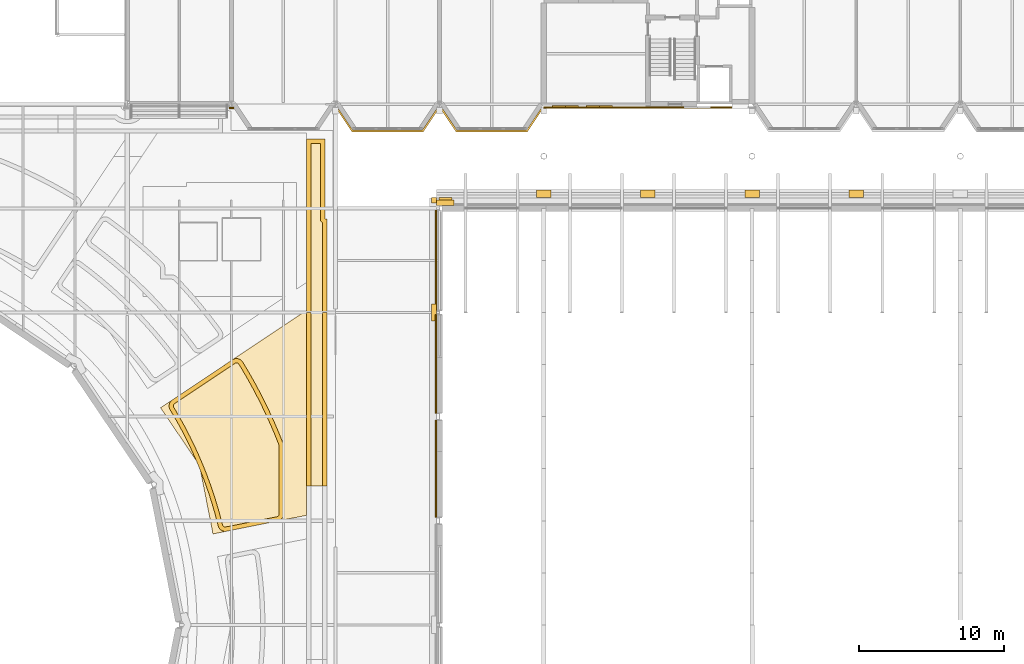
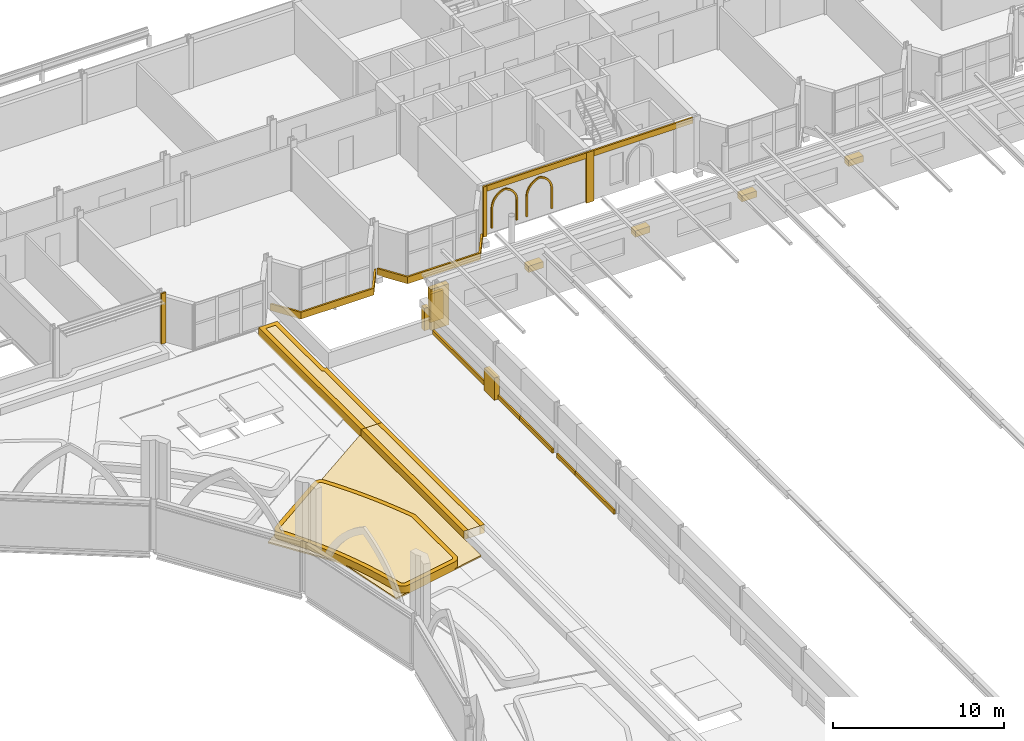
# One storey, part 100 of 110: 30 coverings.
"""IFC4 building model written with IfcOpenShell, lengths in metres."""

from ifc_helpers import new_model, si_unit, direction, frame, origin, origin_2d, place, context, subcontext, project, spatial, polyline, rectangle, outline, extrude, material, layer, layer_set, type_object, element, save


model = new_model("IFC4")

# Units and contexts
model_context = context("Model", 3, precision=1e-05, world=origin(), true_north=direction((0.0, 1.0)))
body_context = subcontext(model_context, "Body", "Model", "MODEL_VIEW")
ifc_project = project(units=[si_unit("LENGTHUNIT", "METRE"), si_unit("AREAUNIT", "SQUARE_METRE"), si_unit("VOLUMEUNIT", "CUBIC_METRE"), si_unit("PLANEANGLEUNIT", "RADIAN"), si_unit("MASSUNIT", "GRAM", prefix="KILO")], contexts=[model_context])

# Site, building, storey
site_placement = place(None, origin())
site = spatial("IfcSite", under=ifc_project, at=site_placement, CompositionType="ELEMENT")
building_placement = place(site_placement, origin())
building = spatial("IfcBuilding", under=site, at=building_placement, Name="Kupolbacken Congress Centre", CompositionType="ELEMENT")
storey_placement = place(building_placement, frame((0.0, 0.0, 18.0)))
storey = spatial("IfcBuildingStorey", under=building, at=storey_placement, Name="L05", CompositionType="ELEMENT", Elevation=18.0)

# Coverings
ifc_material_1 = material(Name="Limestone cladding", Category="masonry")
ifc_layer_1 = layer(ifc_material_1, 0.1201171875)
ifc_layer_set_1 = layer_set([ifc_layer_1], Name="Limestone cladding")
covering_type_1 = type_object("IfcCoveringType", Name="CV1 limestone cladding band 120", PredefinedType="CLADDING", material=ifc_layer_set_1)
covering_1_placement = place(storey_placement, frame((0.0, 0.0, -0.199951171875)))
element("IfcCovering", 1, at=covering_1_placement, inside=storey, type_object=covering_type_1, Name="E/T/belt/L05/S/79.2", PredefinedType="CLADDING", context=body_context, shape_type="SweptSolid", body=[
    extrude(outline(polyline([(86.377685546875, 122.14990234375), (86.2333984375, 122.14990234375), (85.199951171875, 120.60009765625), (80.39990234375, 120.60009765625), (79.36669921875, 122.14990234375), (79.222412109375, 122.14990234375), (80.335693359375, 120.47998046875), (85.26416015625, 120.47998046875), (86.377685546875, 122.14990234375)])), origin(), (0.0, 0.0, 1.0), 0.47998046875),
])
covering_2_placement = place(storey_placement, frame((0.0, 0.0, -0.199951171875)))
element("IfcCovering", 2, at=covering_2_placement, inside=storey, type_object=covering_type_1, Name="E/T/belt/L05/S/86.4", PredefinedType="CLADDING", context=body_context, shape_type="SweptSolid", body=[
    extrude(outline(polyline([(93.57763671875, 122.14990234375), (93.433349609375, 122.14990234375), (92.39990234375, 120.60009765625), (87.60009765625, 120.60009765625), (86.566650390625, 122.14990234375), (86.42236328125, 122.14990234375), (87.535888671875, 120.47998046875), (92.464111328125, 120.47998046875), (93.57763671875, 122.14990234375)])), origin(), (0.0, 0.0, 1.0), 0.47998046875),
])
ifc_material_2 = material(Name="Brick cladding", Category="masonry")
ifc_layer_2 = layer(ifc_material_2, 0.10791015625)
ifc_layer_set_2 = layer_set([ifc_layer_2], Name="Brick cladding")
covering_type_2 = type_object("IfcCoveringType", Name="CV2 brick cladding band 108", PredefinedType="CLADDING", material=ifc_layer_set_2)
covering_3_placement = place(storey_placement, frame((86.135986328125, 111.60009765625, 0.0), z_axis=(0.0, 0.0, 1.0), x_axis=(0.0, -1.0, 0.0)))
element("IfcCovering", 3, at=covering_3_placement, inside=storey, type_object=covering_type_2, Name="E/H/W/L05/469/band", PredefinedType="CLADDING", context=body_context, shape_type="SweptSolid", body=[
    extrude(rectangle(XDim=6.909912109375, YDim=0.10791015625, at=origin_2d()), origin(), (0.0, 0.0, 1.0), 0.300048828125),
])
covering_4_placement = place(storey_placement, frame((86.135986328125, 106.37744140625, 0.0), z_axis=(0.0, 0.0, 1.0), x_axis=(0.0, -1.0, 0.0)))
element("IfcCovering", 4, at=covering_4_placement, inside=storey, type_object=covering_type_2, Name="E/H/W/L05/470/band", PredefinedType="CLADDING", context=body_context, shape_type="SweptSolid", body=[
    extrude(rectangle(XDim=2.955078125, YDim=0.10791015625, at=origin_2d()), origin(), (0.0, 0.0, 1.0), 0.300048828125),
])
covering_5_placement = place(storey_placement, frame((86.135986328125, 102.972412109375, 0.0), z_axis=(0.0, 0.0, 1.0), x_axis=(0.0, -1.0, 0.0)))
element("IfcCovering", 5, at=covering_5_placement, inside=storey, type_object=covering_type_2, Name="E/H/W/L05/471/band", PredefinedType="CLADDING", context=body_context, shape_type="SweptSolid", body=[
    extrude(rectangle(XDim=3.85498046875, YDim=0.10791015625, at=origin_2d()), origin(), (0.0, 0.0, 1.0), 0.300048828125),
])
covering_6_placement = place(storey_placement, frame((86.135986328125, 99.4775390625, 0.0), z_axis=(0.0, 0.0, 1.0), x_axis=(0.0, -1.0, 0.0)))
element("IfcCovering", 6, at=covering_6_placement, inside=storey, type_object=covering_type_2, Name="E/H/W/L05/472/band", PredefinedType="CLADDING", context=body_context, shape_type="SweptSolid", body=[
    extrude(rectangle(XDim=2.155029296875, YDim=0.10791015625, at=origin_2d()), origin(), (0.0, 0.0, 1.0), 0.300048828125),
])
covering_7_placement = place(storey_placement, frame((86.135986328125, 96.12255859375, 0.0), z_axis=(0.0, 0.0, 1.0), x_axis=(0.0, -1.0, 0.0)))
element("IfcCovering", 7, at=covering_7_placement, inside=storey, type_object=covering_type_2, Name="E/H/W/L05/473/band", PredefinedType="CLADDING", context=body_context, shape_type="SweptSolid", body=[
    extrude(rectangle(XDim=4.554931640625, YDim=0.10791015625, at=origin_2d()), origin(), (0.0, 0.0, 1.0), 0.300048828125),
])
covering_8_placement = place(storey_placement, frame((72.0, 122.134033203125, 0.0), z_axis=(0.0, 0.0, 1.0), x_axis=(1.0, 0.0, 0.0)))
element("IfcCovering", 8, at=covering_8_placement, inside=storey, type_object=covering_type_2, Name="E/T/pilaster/L05/C-T-11T/S", PredefinedType="CLADDING", context=body_context, shape_type="SweptSolid", body=[
    extrude(rectangle(XDim=0.306884765625, YDim=0.10009765625, at=origin_2d()), origin(), (0.0, 0.0, 1.0), 3.60009765625),
])
covering_9_placement = place(storey_placement, frame((93.72509765625, 122.1650390625, 0.0), z_axis=(0.0, 0.0, 1.0), x_axis=(1.0, 0.0, 0.0)))
element("IfcCovering", 9, at=covering_9_placement, inside=storey, type_object=covering_type_2, Name="E/T/stripe/S/L05/pil93.6", PredefinedType="CLADDING", context=body_context, shape_type="SweptSolid", body=[
    extrude(rectangle(XDim=0.25, YDim=0.1201171875, at=origin_2d()), origin(), (0.0, 0.0, 1.0), 3.60009765625),
])
covering_10_placement = place(storey_placement, frame((100.800048828125, 122.1650390625, 0.0), z_axis=(0.0, 0.0, 1.0), x_axis=(1.0, 0.0, 0.0)))
element("IfcCovering", 10, at=covering_10_placement, inside=storey, type_object=covering_type_2, Name="E/T/stripe/S/L05/pil100.8", PredefinedType="CLADDING", context=body_context, shape_type="SweptSolid", body=[
    extrude(rectangle(XDim=0.5, YDim=0.1201171875, at=origin_2d()), origin(), (0.0, 0.0, 1.0), 3.60009765625),
])
covering_11_placement = place(storey_placement, frame((97.199951171875, 122.1650390625, 3.199951171875), z_axis=(0.0, 0.0, 1.0), x_axis=(1.0, 0.0, 0.0)))
element("IfcCovering", 11, at=covering_11_placement, inside=storey, type_object=covering_type_2, Name="E/T/stripe/S/L05/belt93.6", PredefinedType="CLADDING", context=body_context, shape_type="SweptSolid", body=[
    extrude(rectangle(XDim=6.699951171875, YDim=0.1201171875, at=origin_2d()), origin(), (0.0, 0.0, 1.0), 0.39990234375),
])
covering_12_placement = place(storey_placement, frame((94.199951171875, 122.300048828125, 0.35009765625), z_axis=(0.0, -1.0, 0.0), x_axis=(1.0, 0.0, 0.0)))
element("IfcCovering", 12, at=covering_12_placement, inside=storey, type_object=covering_type_2, Name="E/T/stripe/S/L05/niche93.6/1", PredefinedType="CLADDING", context=body_context, shape_type="SweptSolid", body=[
    extrude(outline(polyline([(0.0, 0.0), (0.0, 1.43408203125), (0.00537109375, 1.54443359375), (0.021484375, 1.654052734375), (0.048095703125, 1.761474609375), (0.084716796875, 1.86572265625), (0.131591796875, 1.966064453125), (0.187744140625, 2.061279296875), (0.2529296875, 2.15087890625), (0.32666015625, 2.2333984375), (0.40771484375, 2.30859375), (0.495849609375, 2.37548828125), (0.590087890625, 2.433837890625), (0.689453125, 2.482421875), (0.793212890625, 2.521240234375), (0.89990234375, 2.550048828125), (1.0068359375, 2.521240234375), (1.110595703125, 2.482421875), (1.2099609375, 2.433837890625), (1.30419921875, 2.37548828125), (1.39208984375, 2.30859375), (1.473388671875, 2.2333984375), (1.547119140625, 2.15087890625), (1.6123046875, 2.061279296875), (1.66845703125, 1.966064453125), (1.715087890625, 1.86572265625), (1.751953125, 1.761474609375), (1.778564453125, 1.654052734375), (1.794677734375, 1.54443359375), (1.800048828125, 1.43408203125), (1.800048828125, 0.0), (1.679931640625, 0.0), (1.679931640625, 1.43408203125), (1.67529296875, 1.531005859375), (1.66162109375, 1.627197265625), (1.638671875, 1.7216796875), (1.60693359375, 1.8134765625), (1.566650390625, 1.90185546875), (1.51806640625, 1.986083984375), (1.461669921875, 2.065185546875), (1.398193359375, 2.138916015625), (1.327880859375, 2.205810546875), (1.25146484375, 2.26611328125), (1.169677734375, 2.318603515625), (1.08349609375, 2.36328125), (0.9931640625, 2.3994140625), (0.89990234375, 2.427001953125), (0.806884765625, 2.3994140625), (0.716552734375, 2.36328125), (0.63037109375, 2.318603515625), (0.548583984375, 2.26611328125), (0.47216796875, 2.205810546875), (0.40185546875, 2.138916015625), (0.33837890625, 2.065185546875), (0.281982421875, 1.986083984375), (0.2333984375, 1.90185546875), (0.193115234375, 1.8134765625), (0.161376953125, 1.7216796875), (0.138427734375, 1.627197265625), (0.12451171875, 1.531005859375), (0.1201171875, 1.43408203125), (0.1201171875, 0.0), (0.0, 0.0)])), origin(), (0.0, 0.0, 1.0), 0.080078125),
])
covering_13_placement = place(storey_placement, frame((96.550048828125, 122.300048828125, 0.35009765625), z_axis=(0.0, -1.0, 0.0), x_axis=(1.0, 0.0, 0.0)))
element("IfcCovering", 13, at=covering_13_placement, inside=storey, type_object=covering_type_2, Name="E/T/stripe/S/L05/niche93.6/2", PredefinedType="CLADDING", context=body_context, shape_type="SweptSolid", body=[
    extrude(outline(polyline([(0.0, 0.0), (0.0, 1.43408203125), (0.00537109375, 1.54443359375), (0.021484375, 1.654052734375), (0.048095703125, 1.761474609375), (0.084716796875, 1.86572265625), (0.131591796875, 1.966064453125), (0.187744140625, 2.061279296875), (0.2529296875, 2.15087890625), (0.32666015625, 2.2333984375), (0.40771484375, 2.30859375), (0.495849609375, 2.37548828125), (0.590087890625, 2.433837890625), (0.689453125, 2.482421875), (0.793212890625, 2.521240234375), (0.89990234375, 2.550048828125), (1.0068359375, 2.521240234375), (1.110595703125, 2.482421875), (1.2099609375, 2.433837890625), (1.30419921875, 2.37548828125), (1.39208984375, 2.30859375), (1.473388671875, 2.2333984375), (1.547119140625, 2.15087890625), (1.6123046875, 2.061279296875), (1.66845703125, 1.966064453125), (1.715087890625, 1.86572265625), (1.751953125, 1.761474609375), (1.778564453125, 1.654052734375), (1.794677734375, 1.54443359375), (1.800048828125, 1.43408203125), (1.800048828125, 0.0), (1.679931640625, 0.0), (1.679931640625, 1.43408203125), (1.67529296875, 1.531005859375), (1.66162109375, 1.627197265625), (1.638671875, 1.7216796875), (1.60693359375, 1.8134765625), (1.566650390625, 1.90185546875), (1.51806640625, 1.986083984375), (1.461669921875, 2.065185546875), (1.398193359375, 2.138916015625), (1.327880859375, 2.205810546875), (1.25146484375, 2.26611328125), (1.169677734375, 2.318603515625), (1.08349609375, 2.36328125), (0.9931640625, 2.3994140625), (0.89990234375, 2.427001953125), (0.806884765625, 2.3994140625), (0.716552734375, 2.36328125), (0.63037109375, 2.318603515625), (0.548583984375, 2.26611328125), (0.47216796875, 2.205810546875), (0.40185546875, 2.138916015625), (0.33837890625, 2.065185546875), (0.281982421875, 1.986083984375), (0.2333984375, 1.90185546875), (0.193115234375, 1.8134765625), (0.161376953125, 1.7216796875), (0.138427734375, 1.627197265625), (0.12451171875, 1.531005859375), (0.1201171875, 1.43408203125), (0.1201171875, 0.0), (0.0, 0.0)])), origin(), (0.0, 0.0, 1.0), 0.080078125),
])
covering_14_placement = place(storey_placement, frame((104.39990234375, 122.1650390625, 3.199951171875), z_axis=(0.0, 0.0, 1.0), x_axis=(1.0, 0.0, 0.0)))
element("IfcCovering", 14, at=covering_14_placement, inside=storey, type_object=covering_type_2, Name="E/T/stripe/S/L05/belt100.8", PredefinedType="CLADDING", context=body_context, shape_type="SweptSolid", body=[
    extrude(rectangle(XDim=6.699951171875, YDim=0.1201171875, at=origin_2d()), origin(), (0.0, 0.0, 1.0), 0.39990234375),
])
ifc_material_3 = material(Name="Limestone cladding", Category="masonry")
ifc_layer_3 = layer(ifc_material_3, 0.35009765625)
ifc_layer_set_3 = layer_set([ifc_layer_3], Name="Limestone cladding")
covering_type_3 = type_object("IfcCoveringType", Name="CV3 limestone pilaster strip 350", PredefinedType="CLADDING", material=ifc_layer_set_3)
covering_15_placement = place(storey_placement, frame((86.7900390625, 115.5849609375, 0.0), z_axis=(0.0, 0.0, 1.0), x_axis=(1.0, 0.0, 0.0)))
element("IfcCovering", 15, at=covering_15_placement, inside=storey, type_object=covering_type_3, Name="F/H/N/pil/00/0", PredefinedType="CLADDING", context=body_context, shape_type="SweptSolid", body=[
    extrude(rectangle(XDim=1.199951171875, YDim=0.35009765625, at=origin_2d()), origin(), (0.0, 0.0, 1.0), 2.93505859375),
])
covering_16_placement = place(storey_placement, frame((86.014892578125, 108.0, 0.0), z_axis=(0.0, 0.0, 1.0), x_axis=(0.0, 1.0, 0.0)))
element("IfcCovering", 16, at=covering_16_placement, inside=storey, type_object=covering_type_3, Name="F/H/W/pil/09/0", PredefinedType="CLADDING", context=body_context, shape_type="SweptSolid", body=[
    extrude(rectangle(XDim=1.199951171875, YDim=0.35009765625, at=origin_2d()), origin(), (0.0, 0.0, 1.0), 1.60009765625),
])
covering_17_placement = place(storey_placement, frame((86.014892578125, 115.760009765625, 0.0), z_axis=(0.0, 0.0, 1.0), x_axis=(1.0, 0.0, 0.0)))
element("IfcCovering", 17, at=covering_17_placement, inside=storey, type_object=covering_type_3, Name="F/H/corner/N/W/0", PredefinedType="CLADDING", context=body_context, shape_type="SweptSolid", body=[
    extrude(rectangle(XDim=0.35009765625, YDim=0.35009765625, at=origin_2d()), origin(), (0.0, 0.0, 1.0), 1.60009765625),
])
ifc_material_4 = material(Name="Limestone cladding", Category="masonry")
ifc_layer_4 = layer(ifc_material_4, 0.60009765625)
ifc_layer_set_4 = layer_set([ifc_layer_4], Name="Limestone cladding")
covering_type_4 = type_object("IfcCoveringType", Name="CV5 limestone arcade pier 600", PredefinedType="CLADDING", material=ifc_layer_set_4)
covering_18_placement = place(storey_placement, origin())
element("IfcCovering", 18, at=covering_18_placement, inside=storey, type_object=covering_type_4, Name="Bed kerb, plenary wing roof", PredefinedType="CLADDING", context=body_context, shape_type="SweptSolid", body=[
    extrude(outline(polyline([(77.197509765625, 108.0), (77.49755859375, 108.0), (77.49755859375, 96.0), (77.197509765625, 96.0), (77.197509765625, 108.0)])), origin(), (0.0, 0.0, 1.0), 0.60009765625),
])
covering_19_placement = place(storey_placement, origin())
element("IfcCovering", 19, at=covering_19_placement, inside=storey, type_object=covering_type_4, Name="Bed kerb, plenary wing roof", PredefinedType="CLADDING", context=body_context, shape_type="SweptSolid", body=[
    extrude(outline(polyline([(78.597412109375, 96.0), (78.297607421875, 96.0), (78.297607421875, 108.0), (78.597412109375, 108.0), (78.597412109375, 96.0)])), origin(), (0.0, 0.0, 1.0), 0.60009765625),
])
covering_20_placement = place(storey_placement, origin())
element("IfcCovering", 20, at=covering_20_placement, inside=storey, type_object=covering_type_4, Name="Bed kerb, plenary wing roof", PredefinedType="CLADDING", context=body_context, shape_type="SweptSolid", body=[
    extrude(outline(polyline([(77.197509765625, 120.0), (78.469970703125, 120.0), (78.469970703125, 115.929931640625), (78.469970703125, 115.929931640625), (78.469970703125, 114.469970703125), (78.469970703125, 114.469970703125), (78.469970703125, 114.469970703125), (78.597412109375, 114.469970703125), (78.597412109375, 108.0), (78.297607421875, 108.0), (78.297607421875, 114.21826171875), (78.169921875, 114.345703125), (78.169921875, 116.22998046875), (78.169921875, 116.22998046875), (78.169921875, 119.699951171875), (77.49755859375, 119.699951171875), (77.49755859375, 108.0), (77.197509765625, 108.0), (77.197509765625, 120.0)])), origin(), (0.0, 0.0, 1.0), 0.60009765625),
])
covering_21_placement = place(storey_placement, origin())
element("IfcCovering", 21, at=covering_21_placement, inside=storey, type_object=covering_type_4, Name="Bed kerb, plenary wing roof", PredefinedType="CLADDING", context=body_context, shape_type="SweptSolid", body=[
    extrude(outline(polyline([(72.117919921875, 104.75634765625), (72.16357421875, 104.777587890625), (72.210693359375, 104.794189453125), (72.259521484375, 104.80615234375), (72.309326171875, 104.81298828125), (72.359619140625, 104.814697265625), (72.40966796875, 104.8115234375), (72.459228515625, 104.80322265625), (72.5078125, 104.790283203125), (72.5546875, 104.772216796875), (72.599365234375, 104.749755859375), (72.641845703125, 104.72265625), (72.681396484375, 104.691650390625), (72.71728515625, 104.65673828125), (72.75, 104.618408203125), (72.7783203125, 104.5771484375), (72.976806640625, 104.2548828125), (72.9833984375, 104.244140625), (73.40625, 103.5185546875), (73.412109375, 103.508056640625), (73.817138671875, 102.772216796875), (73.822998046875, 102.761474609375), (74.209716796875, 102.015869140625), (74.21533203125, 102.0048828125), (74.58349609375, 101.25), (74.5888671875, 101.239013671875), (74.938720703125, 100.4755859375), (74.943603515625, 100.46435546875), (75.2744140625, 99.6923828125), (75.279296875, 99.680908203125), (75.561767578125, 98.974365234375), (75.577392578125, 98.929443359375), (75.58837890625, 98.88330078125), (75.59521484375, 98.836181640625), (75.597412109375, 98.788818359375), (75.597412109375, 94.069580078125), (75.59521484375, 94.0205078125), (75.587890625, 93.971923828125), (75.575927734375, 93.92431640625), (75.559326171875, 93.878173828125), (75.53857421875, 93.833984375), (75.51318359375, 93.791748046875), (75.48388671875, 93.75244140625), (75.450927734375, 93.716064453125), (75.414794921875, 93.68310546875), (75.375244140625, 93.65380859375), (75.333251953125, 93.628662109375), (75.288818359375, 93.607666015625), (75.24267578125, 93.591064453125), (75.195068359375, 93.5791015625), (71.6728515625, 92.878662109375), (71.62548828125, 92.87158203125), (71.577392578125, 92.868896484375), (71.529541015625, 92.87109375), (71.482177734375, 92.877685546875), (71.435546875, 92.888916015625), (71.390380859375, 92.904541015625), (71.3466796875, 92.92431640625), (71.30517578125, 92.9482421875), (71.26611328125, 92.97607421875), (71.22998046875, 93.00732421875), (71.197021484375, 93.0419921875), (71.167236328125, 93.079833984375), (71.1416015625, 93.1201171875), (71.11962890625, 93.162841796875), (71.10205078125, 93.20751953125), (71.0888671875, 93.25341796875), (71.059814453125, 93.37548828125), (71.058349609375, 93.38134765625), (70.880126953125, 94.056884765625), (70.878662109375, 94.06298828125), (70.68408203125, 94.73388671875), (70.68212890625, 94.73974609375), (70.47119140625, 95.406005859375), (70.46923828125, 95.411865234375), (70.241943359375, 96.072509765625), (70.239990234375, 96.078369140625), (69.996337890625, 96.733154296875), (69.994140625, 96.739013671875), (69.73486328125, 97.3876953125), (69.732421875, 97.393310546875), (69.45703125, 98.03564453125), (69.45458984375, 98.041259765625), (69.163818359375, 98.676513671875), (69.160888671875, 98.68212890625), (68.8544921875, 99.31005859375), (68.851806640625, 99.3154296875), (68.530029296875, 99.935791015625), (68.527099609375, 99.941162109375), (68.190185546875, 100.55322265625), (68.187255859375, 100.55859375), (67.835205078125, 101.162353515625), (67.832275390625, 101.16748046875), (67.76708984375, 101.273193359375), (67.743896484375, 101.315185546875), (67.724853515625, 101.35888671875), (67.710205078125, 101.404541015625), (67.699951171875, 101.451416015625), (67.694091796875, 101.4990234375), (67.69287109375, 101.546875), (67.6962890625, 101.5947265625), (67.704345703125, 101.64208984375), (67.716796875, 101.688232421875), (67.733642578125, 101.733154296875), (67.754638671875, 101.776123046875), (67.77978515625, 101.81689453125), (67.80859375, 101.855224609375), (67.8408203125, 101.890625), (67.87646484375, 101.922607421875), (67.9150390625, 101.951171875), (72.074951171875, 104.73046875), (72.117919921875, 104.75634765625)]), holes=[polyline([(68.087646484375, 101.705810546875), (68.06640625, 101.68994140625), (68.05224609375, 101.67724609375), (68.039306640625, 101.6630859375), (68.02783203125, 101.64794921875), (68.017822265625, 101.631591796875), (68.009521484375, 101.614501953125), (68.002685546875, 101.596435546875), (67.997802734375, 101.577880859375), (67.99462890625, 101.55908203125), (67.9931640625, 101.5400390625), (67.99365234375, 101.52099609375), (67.99609375, 101.501953125), (68.0, 101.483154296875), (68.006103515625, 101.465087890625), (68.013671875, 101.447509765625), (68.0263671875, 101.42431640625), (68.088623046875, 101.3232421875), (68.093505859375, 101.31494140625), (68.447265625, 100.7080078125), (68.4521484375, 100.699462890625), (68.790771484375, 100.083984375), (68.79541015625, 100.075439453125), (69.118896484375, 99.451904296875), (69.123291015625, 99.443115234375), (69.431396484375, 98.81201171875), (69.435791015625, 98.802978515625), (69.728271484375, 98.16455078125), (69.732177734375, 98.155517578125), (70.0087890625, 97.510009765625), (70.0126953125, 97.500732421875), (70.2734375, 96.8486328125), (70.277099609375, 96.839599609375), (70.521728515625, 96.18115234375), (70.52490234375, 96.171875), (70.75341796875, 95.507568359375), (70.756591796875, 95.498291015625), (70.96875, 94.82861328125), (70.9716796875, 94.8193359375), (71.167236328125, 94.144775390625), (71.169921875, 94.13525390625), (71.348876953125, 93.4560546875), (71.351318359375, 93.446533203125), (71.37890625, 93.329833984375), (71.38623046875, 93.304443359375), (71.393310546875, 93.28662109375), (71.402099609375, 93.269775390625), (71.412353515625, 93.25341796875), (71.424072265625, 93.238525390625), (71.437255859375, 93.224609375), (71.451904296875, 93.212158203125), (71.46728515625, 93.200927734375), (71.48388671875, 93.19140625), (71.50146484375, 93.18359375), (71.51953125, 93.17724609375), (71.5380859375, 93.1728515625), (71.556884765625, 93.170166015625), (71.576171875, 93.16943359375), (71.59521484375, 93.17041015625), (71.621337890625, 93.17431640625), (75.12939453125, 93.8720703125), (75.155517578125, 93.87841796875), (75.173828125, 93.885009765625), (75.191650390625, 93.8935546875), (75.20849609375, 93.903564453125), (75.22412109375, 93.915283203125), (75.23876953125, 93.928466796875), (75.251708984375, 93.94287109375), (75.263427734375, 93.95849609375), (75.273681640625, 93.975341796875), (75.281982421875, 93.9931640625), (75.28857421875, 94.01171875), (75.293212890625, 94.030517578125), (75.296142578125, 94.050048828125), (75.297607421875, 94.076904296875), (75.297607421875, 98.781494140625), (75.29638671875, 98.8076171875), (75.293701171875, 98.826416015625), (75.2890625, 98.844970703125), (75.280517578125, 98.86962890625), (75.001220703125, 99.56787109375), (74.998046875, 99.57568359375), (74.668701171875, 100.344482421875), (74.6650390625, 100.352294921875), (74.31689453125, 101.1123046875), (74.313232421875, 101.1201171875), (73.946533203125, 101.87158203125), (73.942626953125, 101.87939453125), (73.5576171875, 102.62158203125), (73.553466796875, 102.629150390625), (73.150390625, 103.36181640625), (73.14599609375, 103.369140625), (72.72509765625, 104.091552734375), (72.720703125, 104.09912109375), (72.52685546875, 104.413330078125), (72.51123046875, 104.43603515625), (72.498291015625, 104.451416015625), (72.48388671875, 104.46533203125), (72.468017578125, 104.477783203125), (72.451171875, 104.48828125), (72.433349609375, 104.497314453125), (72.41455078125, 104.504638671875), (72.395263671875, 104.509765625), (72.37548828125, 104.51318359375), (72.35546875, 104.514404296875), (72.33544921875, 104.513671875), (72.3154296875, 104.510986328125), (72.2958984375, 104.506103515625), (72.277099609375, 104.49951171875), (72.259033203125, 104.4912109375), (72.2353515625, 104.476806640625), (68.087646484375, 101.705810546875)])]), origin(), (0.0, 0.0, 1.0), 0.60009765625),
])
ifc_material_5 = material(Name="Limestone cladding", Category="masonry")
ifc_layer_5 = layer(ifc_material_5, 0.5)
ifc_layer_set_5 = layer_set([ifc_layer_5], Name="Limestone cladding")
covering_type_5 = type_object("IfcCoveringType", Name="CV8 limestone drum pier 500", PredefinedType="CLADDING", material=ifc_layer_set_5)
for number, where, z_axis, x_axis, name in (
    (22, (93.60009765625, 116.2099609375, 1.38525390625), (0.0, 0.0, 1.0), (1.0, 0.0, 0.0), "F/HR/H/N/cap/01-0/0"),
    (23, (100.800048828125, 116.2099609375, 1.38525390625), (0.0, 0.0, 1.0), (1.0, 0.0, 0.0), "F/HR/H/N/cap/02-0/0"),
    (24, (108.0, 116.2099609375, 1.38525390625), (0.0, 0.0, 1.0), (1.0, 0.0, 0.0), "F/HR/H/N/cap/03-0/0"),
    (25, (115.199951171875, 116.2099609375, 1.38525390625), (0.0, 0.0, 1.0), (1.0, 0.0, 0.0), "F/HR/H/N/cap/04-0/0"),
):
    element("IfcCovering", number, at=place(storey_placement, frame(where, z_axis=z_axis, x_axis=x_axis)), inside=storey, type_object=covering_type_5, Name=name, PredefinedType="CLADDING", context=body_context, shape_type="SweptSolid", body=[
        extrude(rectangle(XDim=1.0, YDim=0.5, at=origin_2d()), origin(), (0.0, 0.0, 1.0), 0.449951171875),
    ])
ifc_material_6 = material(Name="Limestone cladding", Category="masonry")
ifc_layer_6 = layer(ifc_material_6, 0.199951171875)
ifc_layer_set_6 = layer_set([ifc_layer_6], Name="Limestone cladding")
covering_type_6 = type_object("IfcCoveringType", Name="CV9 limestone drum arch frame 200", PredefinedType="CLADDING", material=ifc_layer_set_6)
covering_22_placement = place(storey_placement, frame((86.7900390625, 115.860107421875, 0.2998046875), z_axis=(0.0, 0.0, 1.0), x_axis=(1.0, 0.0, 0.0)))
element("IfcCovering", 26, at=covering_22_placement, inside=storey, type_object=covering_type_6, Name="F/HR/H/N/rib/00-0/0", PredefinedType="CLADDING", context=body_context, shape_type="SweptSolid", body=[
    extrude(rectangle(XDim=0.89990234375, YDim=0.199951171875, at=origin_2d()), origin(), (0.0, 0.0, 1.0), 2.034912109375),
])
ifc_material_7 = material(Name="Grass", Category="soil")
ifc_layer_7 = layer(ifc_material_7, 0.10009765625)
ifc_layer_set_7 = layer_set([ifc_layer_7], Name="Grass")
covering_type_7 = type_object("IfcCoveringType", Name="GR2 grass surface 100", PredefinedType="FLOORING", material=ifc_layer_set_7)
covering_23_placement = place(storey_placement, origin())
element("IfcCovering", 27, at=covering_23_placement, inside=storey, type_object=covering_type_7, Name="Green roof, plenary wing roof", PredefinedType="FLOORING", context=body_context, shape_type="SweptSolid", body=[
    extrude(outline(polyline([(77.199462890625, 108.154541015625), (77.199462890625, 93.977783203125), (70.72900390625, 92.69091796875), (69.797607421875, 97.421142578125), (67.105712890625, 101.410400390625), (77.199462890625, 108.154541015625)])), origin(), (0.0, 0.0, 1.0), 0.10009765625),
])
ifc_material_8 = material(Name="Planting substrate", Category="soil")
ifc_layer_8 = layer(ifc_material_8, 0.60009765625)
ifc_layer_set_8 = layer_set([ifc_layer_8], Name="Planting substrate")
covering_type_8 = type_object("IfcCoveringType", Name="GR8 planting substrate 600", PredefinedType="FLOORING", material=ifc_layer_set_8)
covering_24_placement = place(storey_placement, origin())
element("IfcCovering", 28, at=covering_24_placement, inside=storey, type_object=covering_type_8, Name="Planting bed, plenary wing roof", PredefinedType="FLOORING", context=body_context, shape_type="SweptSolid", body=[
    extrude(outline(polyline([(77.49755859375, 108.0), (78.297607421875, 108.0), (78.297607421875, 96.0), (77.49755859375, 96.0), (77.49755859375, 108.0)])), origin(), (0.0, 0.0, 1.0), 0.60009765625),
])
covering_25_placement = place(storey_placement, origin())
element("IfcCovering", 29, at=covering_25_placement, inside=storey, type_object=covering_type_8, Name="Planting bed, plenary wing roof", PredefinedType="FLOORING", context=body_context, shape_type="SweptSolid", body=[
    extrude(outline(polyline([(77.49755859375, 119.699951171875), (78.169921875, 119.699951171875), (78.169921875, 116.22998046875), (78.169921875, 116.22998046875), (78.169921875, 114.345703125), (78.297607421875, 114.21826171875), (78.297607421875, 108.0), (77.49755859375, 108.0), (77.49755859375, 119.699951171875)])), origin(), (0.0, 0.0, 1.0), 0.60009765625),
])
covering_26_placement = place(storey_placement, origin())
element("IfcCovering", 30, at=covering_26_placement, inside=storey, type_object=covering_type_8, Name="Planting bed, plenary wing roof", PredefinedType="FLOORING", context=body_context, shape_type="SweptSolid", body=[
    extrude(outline(polyline([(72.2353515625, 104.476806640625), (72.259033203125, 104.4912109375), (72.277099609375, 104.49951171875), (72.2958984375, 104.506103515625), (72.3154296875, 104.510986328125), (72.33544921875, 104.513671875), (72.35546875, 104.514404296875), (72.37548828125, 104.51318359375), (72.395263671875, 104.509765625), (72.41455078125, 104.504638671875), (72.433349609375, 104.497314453125), (72.451171875, 104.48828125), (72.468017578125, 104.477783203125), (72.48388671875, 104.46533203125), (72.498291015625, 104.451416015625), (72.51123046875, 104.43603515625), (72.52685546875, 104.413330078125), (72.720703125, 104.09912109375), (72.72509765625, 104.091552734375), (73.14599609375, 103.369140625), (73.150390625, 103.36181640625), (73.553466796875, 102.629150390625), (73.5576171875, 102.62158203125), (73.942626953125, 101.87939453125), (73.946533203125, 101.87158203125), (74.313232421875, 101.1201171875), (74.31689453125, 101.1123046875), (74.6650390625, 100.352294921875), (74.668701171875, 100.344482421875), (74.998046875, 99.57568359375), (75.001220703125, 99.56787109375), (75.280517578125, 98.86962890625), (75.2890625, 98.844970703125), (75.293701171875, 98.826416015625), (75.29638671875, 98.8076171875), (75.297607421875, 98.781494140625), (75.297607421875, 94.076904296875), (75.296142578125, 94.050048828125), (75.293212890625, 94.030517578125), (75.28857421875, 94.01171875), (75.281982421875, 93.9931640625), (75.273681640625, 93.975341796875), (75.263427734375, 93.95849609375), (75.251708984375, 93.94287109375), (75.23876953125, 93.928466796875), (75.22412109375, 93.915283203125), (75.20849609375, 93.903564453125), (75.191650390625, 93.8935546875), (75.173828125, 93.885009765625), (75.155517578125, 93.87841796875), (75.12939453125, 93.8720703125), (71.621337890625, 93.17431640625), (71.59521484375, 93.17041015625), (71.576171875, 93.16943359375), (71.556884765625, 93.170166015625), (71.5380859375, 93.1728515625), (71.51953125, 93.17724609375), (71.50146484375, 93.18359375), (71.48388671875, 93.19140625), (71.46728515625, 93.200927734375), (71.451904296875, 93.212158203125), (71.437255859375, 93.224609375), (71.424072265625, 93.238525390625), (71.412353515625, 93.25341796875), (71.402099609375, 93.269775390625), (71.393310546875, 93.28662109375), (71.38623046875, 93.304443359375), (71.37890625, 93.329833984375), (71.351318359375, 93.446533203125), (71.348876953125, 93.4560546875), (71.169921875, 94.13525390625), (71.167236328125, 94.144775390625), (70.9716796875, 94.8193359375), (70.96875, 94.82861328125), (70.756591796875, 95.498291015625), (70.75341796875, 95.507568359375), (70.52490234375, 96.171875), (70.521728515625, 96.18115234375), (70.277099609375, 96.839599609375), (70.2734375, 96.8486328125), (70.0126953125, 97.500732421875), (70.0087890625, 97.510009765625), (69.732177734375, 98.155517578125), (69.728271484375, 98.16455078125), (69.435791015625, 98.802978515625), (69.431396484375, 98.81201171875), (69.123291015625, 99.443115234375), (69.118896484375, 99.451904296875), (68.79541015625, 100.075439453125), (68.790771484375, 100.083984375), (68.4521484375, 100.699462890625), (68.447265625, 100.7080078125), (68.093505859375, 101.31494140625), (68.088623046875, 101.3232421875), (68.0263671875, 101.42431640625), (68.013671875, 101.447509765625), (68.006103515625, 101.465087890625), (68.0, 101.483154296875), (67.99609375, 101.501953125), (67.99365234375, 101.52099609375), (67.9931640625, 101.5400390625), (67.99462890625, 101.55908203125), (67.997802734375, 101.577880859375), (68.002685546875, 101.596435546875), (68.009521484375, 101.614501953125), (68.017822265625, 101.631591796875), (68.02783203125, 101.64794921875), (68.039306640625, 101.6630859375), (68.05224609375, 101.67724609375), (68.06640625, 101.68994140625), (68.087646484375, 101.705810546875), (72.2353515625, 104.476806640625)])), origin(), (0.0, 0.0, 1.0), 0.60009765625),
])

save(model, "model.ifc")
